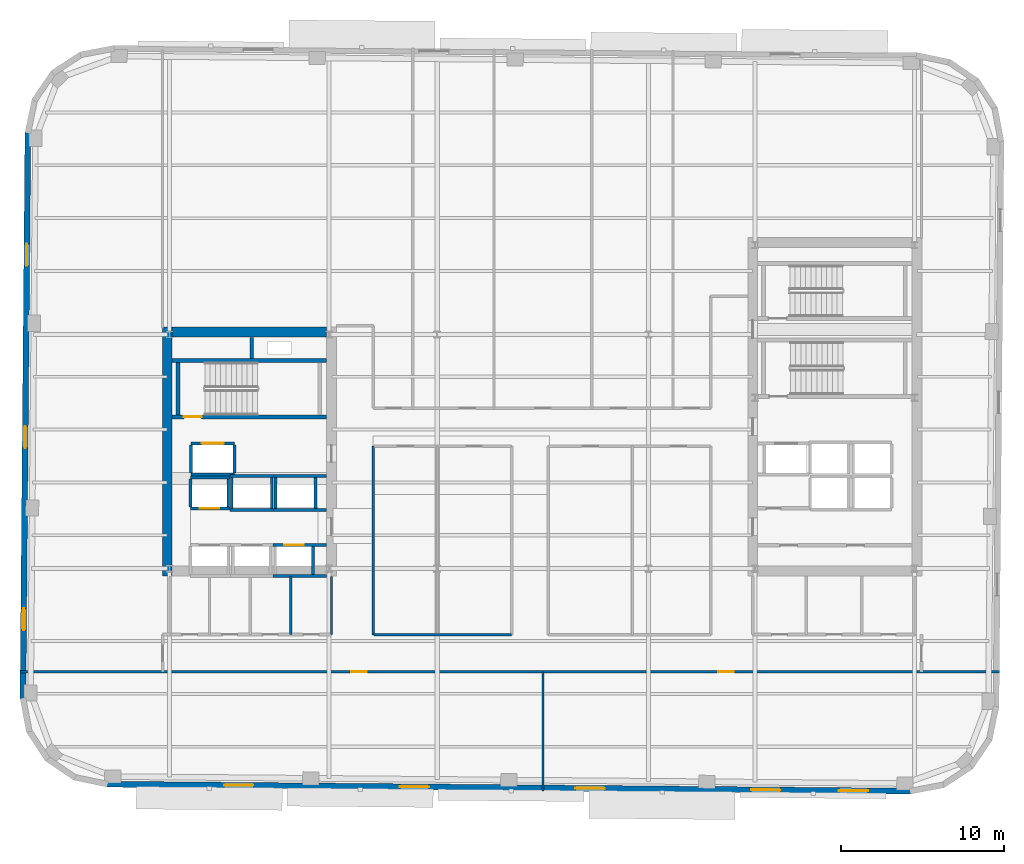
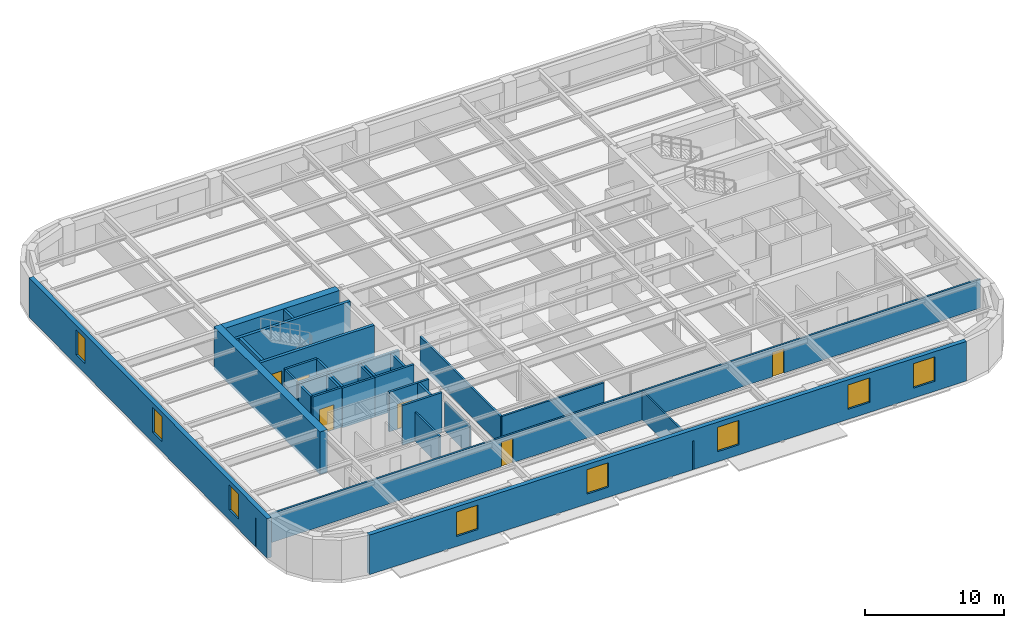
# One storey, part 4 of 11: 33 walls, 8 windows, 6 doors, 14 openings.
"""IFC4 building model written with IfcOpenShell, lengths in metres."""

import ifcopenshell
import ifcopenshell.guid

model = None  # the IFC model being written
_history = None  # IfcOwnerHistory: only IFC2X3 demands one
_inside = {}  # id of a spatial element -> (the spatial element, [elements in it])
_under = {}  # id of a project, library or spatial element -> (it, [spatial elements below it])
_declared = {}  # id of a project -> (the project, [libraries it declares])
_typed = {}  # id of a type object -> (the type object, [elements of that type])
_made_of = {}  # id of a material, layer set ... -> (it, [elements and type objects made of it])


def new_model(schema):
    """Start an empty IFC model of exactly this schema.

    Asked for "IFC4X3", IfcOpenShell would pick the latest addendum, in which some entities
    have other attributes; the version numbers below select the first issue.
    IFC2X3 requires an IfcOwnerHistory on every rooted entity: one is made here for all.
    """
    global model, _history
    if schema == "IFC4X3":
        model = ifcopenshell.file(schema_version=(4, 3, 0, 0))
    else:
        model = ifcopenshell.file(schema=schema)
    _inside.clear()
    _under.clear()
    _declared.clear()
    _typed.clear()
    _made_of.clear()
    _history = None
    if model.schema == "IFC2X3":
        org = make("IfcOrganization", Name="unknown")
        user = make(
            "IfcPersonAndOrganization",
            ThePerson=make("IfcPerson", FamilyName="unknown"),
            TheOrganization=org,
        )
        app = make(
            "IfcApplication",
            ApplicationDeveloper=org,
            Version="unknown",
            ApplicationFullName="unknown",
            ApplicationIdentifier="unknown",
        )
        _history = make(
            "IfcOwnerHistory",
            OwningUser=user,
            OwningApplication=app,
            ChangeAction="ADDED",
            CreationDate=0,
        )
    return model


def make(cls, **values):
    """One entity of the class cls with the attributes given. An attribute that is None is left unset."""
    return model.create_entity(
        cls, **{name: value for name, value in values.items() if value is not None}
    )


def rooted(cls, **values):
    """An entity with a GlobalId (a new one), such as an element, a storey or a relation."""
    return make(cls, GlobalId=ifcopenshell.guid.new(), OwnerHistory=_history, **values)


def si_unit(unit_type, name, prefix=None):
    """IfcSIUnit, for example si_unit("LENGTHUNIT", "METRE", prefix="MILLI")."""
    return make("IfcSIUnit", UnitType=unit_type, Prefix=prefix, Name=name)


def assignment(units):
    """IfcUnitAssignment: the units of a project."""
    return None if units is None else make("IfcUnitAssignment", Units=units)


def point(xyz):
    """IfcCartesianPoint."""
    return None if xyz is None else make("IfcCartesianPoint", Coordinates=xyz)


def direction(xyz):
    """IfcDirection."""
    return None if xyz is None else make("IfcDirection", DirectionRatios=xyz)


def frame(location, z_axis=None, x_axis=None):
    """IfcAxis2Placement3D, a coordinate frame: its origin and axes. An axis left out is left unset."""
    return make(
        "IfcAxis2Placement3D",
        Location=point(location),
        Axis=direction(z_axis),
        RefDirection=direction(x_axis),
    )


def frame_2d(location, x_axis=None):
    """IfcAxis2Placement2D, a coordinate frame in the plane: its origin and x axis."""
    return make(
        "IfcAxis2Placement2D", Location=point(location), RefDirection=direction(x_axis)
    )


def origin():
    """The frame at (0, 0, 0) with its axes left unset."""
    return frame((0.0, 0.0, 0.0))


def place(relative_to, where):
    """IfcLocalPlacement: puts the frame where relative to a parent placement (None: the world)."""
    return make(
        "IfcLocalPlacement", PlacementRelTo=relative_to, RelativePlacement=where
    )


def context(
    kind, dimensions, precision=None, world=None, true_north=None, identifier=None
):
    """IfcGeometricRepresentationContext, for example the 3D "Model" context."""
    return make(
        "IfcGeometricRepresentationContext",
        ContextIdentifier=identifier,
        ContextType=kind,
        CoordinateSpaceDimension=dimensions,
        Precision=precision,
        WorldCoordinateSystem=world,
        TrueNorth=true_north,
    )


def subcontext(parent, identifier, kind, view, scale=None):
    """IfcGeometricRepresentationSubContext, for example "Body" below "Model"."""
    return make(
        "IfcGeometricRepresentationSubContext",
        ContextIdentifier=identifier,
        ContextType=kind,
        ParentContext=parent,
        TargetScale=scale,
        TargetView=view,
    )


def project(units=None, contexts=None):
    """IfcProject with its units and contexts."""
    return rooted(
        "IfcProject",
        Name="project",
        RepresentationContexts=contexts,
        UnitsInContext=assignment(units),
    )


def spatial(cls, under=None, at=None, **own):
    """A site, building, storey or space (cls), placed at a placement, below another one or the project."""
    s = rooted(cls, ObjectPlacement=at, **own)
    if under is not None:
        _under.setdefault(under.id(), (under, []))[1].append(s)
    return s


def profile(cls, at=None, kind="AREA", **sizes):
    """A parametric profile (cls). Its sizes go by their IFC names, for example OverallWidth=200.0."""
    return make(cls, ProfileType=kind, Position=at, **sizes)


def rectangle(**sizes):
    """IfcRectangleProfileDef."""
    return profile("IfcRectangleProfileDef", **sizes)


def extrude(swept, where, along, depth):
    """IfcExtrudedAreaSolid: the profile swept, set in the frame where, extruded along a direction by depth."""
    return make(
        "IfcExtrudedAreaSolid",
        SweptArea=swept,
        Position=where,
        ExtrudedDirection=direction(along),
        Depth=depth,
    )


def shape(context_of_items, identifier, shape_type, items):
    """IfcShapeRepresentation: the items that make up one representation, for example the "Body"."""
    return make(
        "IfcShapeRepresentation",
        ContextOfItems=context_of_items,
        RepresentationIdentifier=identifier,
        RepresentationType=shape_type,
        Items=items,
    )


def material(Name=None, Category=None):
    """IfcMaterial."""
    return make("IfcMaterial", Name=Name, Category=Category)


def layer(
    of_material, thickness, ventilated=None, Name=None, Category=None, Priority=None
):
    """IfcMaterialLayer: one layer of a wall or slab, of a material (None: an air gap)."""
    return make(
        "IfcMaterialLayer",
        Material=of_material,
        LayerThickness=thickness,
        IsVentilated=ventilated,
        Name=Name,
        Category=Category,
        Priority=Priority,
    )


def layer_set(layers, Name=None):
    """IfcMaterialLayerSet."""
    return make("IfcMaterialLayerSet", MaterialLayers=layers, LayerSetName=Name)


def made_of(thing, what):
    """Note that an element or type object is made of a material, layer set ...; save() writes the relation."""
    if what is not None:
        _made_of.setdefault(what.id(), (what, []))[1].append(thing)
    return thing


def type_object(cls, material=None, **own):
    """A type object (cls), such as IfcWallType, which elements share."""
    return made_of(rooted(cls, **own), material)


def element(
    cls,
    number,
    at=None,
    inside=None,
    cuts=None,
    type_object=None,
    material=None,
    context=None,
    identifier="Body",
    shape_type=None,
    held_by="IfcProductDefinitionShape",
    body=None,
    shapes=None,
    **own,
):
    """One element of the class cls, such as IfcWall. Its Tag is "e" and its number.

    at: its placement. inside: the storey or other place that contains it. cuts: it is an
    opening in that element (IfcRelVoidsElement). A single representation is given by context,
    identifier, shape_type and body (its items); several are given by shapes. held_by: the class
    of the entity that holds the representations. save() writes the other relations.
    """
    e = rooted(cls, Tag="e%d" % number, ObjectPlacement=at, **own)
    if body is not None:
        shapes = [shape(context, identifier, shape_type, body)]
    if shapes is not None:
        e.Representation = make(held_by, Representations=shapes)
    if inside is not None:
        _inside.setdefault(inside.id(), (inside, []))[1].append(e)
    if cuts is not None:
        rooted(
            "IfcRelVoidsElement", RelatingBuildingElement=cuts, RelatedOpeningElement=e
        )
    if type_object is not None:
        _typed.setdefault(type_object.id(), (type_object, []))[1].append(e)
    return made_of(e, material)


def fill(opening, filler):
    """IfcRelFillsElement: the door or window that sits in an opening."""
    return rooted(
        "IfcRelFillsElement",
        RelatingOpeningElement=opening,
        RelatedBuildingElement=filler,
    )


def aggregate(whole, parts):
    """IfcRelAggregates: a whole, such as a stair, and the parts it consists of."""
    return rooted("IfcRelAggregates", RelatingObject=whole, RelatedObjects=parts)


def save(model, path):
    """Write the relations noted so far, then the file.

    IfcRelAggregates (storeys below a building ...), IfcRelContainedInSpatialStructure (elements
    in a storey), IfcRelDefinesByType, IfcRelAssociatesMaterial and IfcRelDeclares: one each for
    every whole, place, type object, material and project.
    """
    for whole, parts in _under.values():
        aggregate(whole, parts)
    for where, things in _inside.values():
        rooted(
            "IfcRelContainedInSpatialStructure",
            RelatedElements=things,
            RelatingStructure=where,
        )
    for kind, things in _typed.values():
        rooted("IfcRelDefinesByType", RelatedObjects=things, RelatingType=kind)
    for what, things in _made_of.values():
        rooted("IfcRelAssociatesMaterial", RelatedObjects=things, RelatingMaterial=what)
    for by, libraries in _declared.values():
        rooted("IfcRelDeclares", RelatingContext=by, RelatedDefinitions=libraries)
    model.write(path)


model = new_model("IFC4")

# Units and contexts
model_context = context("Model", 3, precision=1e-05, world=origin(), true_north=direction((0.0, 1.0)))
body_context = subcontext(model_context, "Body", "Model", "MODEL_VIEW")
ifc_project = project(units=[si_unit("LENGTHUNIT", "METRE"), si_unit("AREAUNIT", "SQUARE_METRE"), si_unit("VOLUMEUNIT", "CUBIC_METRE"), si_unit("PLANEANGLEUNIT", "RADIAN"), si_unit("MASSUNIT", "GRAM", prefix="KILO")], contexts=[model_context])

# Site, building, storey
site_placement = place(None, origin())
site = spatial("IfcSite", under=ifc_project, at=site_placement, CompositionType="ELEMENT")
building_placement = place(site_placement, origin())
building = spatial("IfcBuilding", under=site, at=building_placement, Name="Kolvaren Arena Tower", CompositionType="ELEMENT")
storey_placement = place(building_placement, frame((0.0, 0.0, 180.949951171875)))
storey = spatial("IfcBuildingStorey", under=building, at=storey_placement, Name="L43", CompositionType="ELEMENT", Elevation=180.949951171875)

# Wall, openings, doors
ifc_material_1 = material(Name="Gypsum board acoustic assembly", Category="gypsum")
ifc_layer_1 = layer(ifc_material_1, 0.159912109375)
ifc_layer_set_1 = layer_set([ifc_layer_1], Name="Gypsum board acoustic assembly")
wall_type_1 = type_object("IfcWallType", Name="CORR-160", PredefinedType="PARTITIONING", material=ifc_layer_set_1)
wall_1_placement = place(storey_placement, frame((5.363525390625, 13.10009765625, 0.0), z_axis=(0.0, 0.0, 1.0), x_axis=(1.0, 0.0, 0.0)))
wall_1 = element("IfcWall", 1, at=wall_1_placement, inside=storey, type_object=wall_type_1, Name="Interior Partition Wall (L43)", PredefinedType="PARTITIONING", context=body_context, shape_type="SweptSolid", body=[
    extrude(rectangle(XDim=60.202392578125, YDim=0.159912109375, at=frame_2d((30.10107421875, 0.0))), origin(), (0.0, 0.0, 1.0), 2.5400390625),
])
opening_1_placement = place(wall_1_placement, frame((20.361328125, 0.0, 0.0)))
opening_1 = element("IfcOpeningElement", 2, at=opening_1_placement, cuts=wall_1, Name="Opening D05", PredefinedType="OPENING", context=body_context, shape_type="SweptSolid", body=[
    extrude(rectangle(XDim=0.949951171875, YDim=2.14990234375, at=frame_2d((0.47509765625, 1.074951171875))), frame((0.0, 0.08984375, 0.0), z_axis=(0.0, -1.0, 0.0), x_axis=(1.0, 0.0, 0.0)), (0.0, 0.0, 1.0), 0.179931640625),
])
opening_2_placement = place(wall_1_placement, frame((42.911376953125, 0.0, 0.0)))
opening_2 = element("IfcOpeningElement", 3, at=opening_2_placement, cuts=wall_1, Name="Opening D05", PredefinedType="OPENING", context=body_context, shape_type="SweptSolid", body=[
    extrude(rectangle(XDim=0.949951171875, YDim=2.14990234375, at=frame_2d((0.47509765625, 1.074951171875))), frame((0.0, 0.08984375, 0.0), z_axis=(0.0, -1.0, 0.0), x_axis=(1.0, 0.0, 0.0)), (0.0, 0.0, 1.0), 0.179931640625),
])
ifc_material_2 = material(Name="Solid-core oak acoustic office door", Category="wood")
door_type_1 = type_object("IfcDoorType", Name="DOOR-OF-095", OperationType="NOTDEFINED", PredefinedType="DOOR", material=ifc_material_2)
door_1_placement = place(opening_1_placement, origin())
door_1 = element("IfcDoor", 4, at=door_1_placement, inside=storey, type_object=door_type_1, Name="Design Studio Door (L43)", OperationType="SINGLE_SWING_LEFT", OverallHeight=2.14990234375, OverallWidth=0.949951171875, PredefinedType="DOOR", context=body_context, shape_type="SweptSolid", body=[
    extrude(rectangle(XDim=0.949951171875, YDim=2.14990234375, at=frame_2d((0.47509765625, 1.074951171875))), frame((0.0, 0.02490234375, 0.0), z_axis=(0.0, -1.0, 0.0), x_axis=(1.0, 0.0, 0.0)), (0.0, 0.0, 1.0), 0.050048828125),
])
fill(opening_1, door_1)
door_2_placement = place(opening_2_placement, origin())
door_2 = element("IfcDoor", 5, at=door_2_placement, inside=storey, type_object=door_type_1, Name="Technical Engineering Office Door (L43)", OperationType="SINGLE_SWING_RIGHT", OverallHeight=2.14990234375, OverallWidth=0.949951171875, PredefinedType="DOOR", context=body_context, shape_type="SweptSolid", body=[
    extrude(rectangle(XDim=0.949951171875, YDim=2.14990234375, at=frame_2d((0.47509765625, 1.074951171875))), frame((0.0, 0.02490234375, 0.0), z_axis=(0.0, -1.0, 0.0), x_axis=(1.0, 0.0, 0.0)), (0.0, 0.0, 1.0), 0.050048828125),
])
fill(opening_2, door_2)

# Walls
wall_2_placement = place(storey_placement, frame((27.10009765625, 15.3798828125, 0.0), z_axis=(0.0, 0.0, 1.0), x_axis=(1.0, 0.0, 0.0)))
element("IfcWall", 6, at=wall_2_placement, inside=storey, type_object=wall_type_1, Name="Interior Partition Wall (L43)", PredefinedType="PARTITIONING", context=body_context, shape_type="SweptSolid", body=[
    extrude(rectangle(XDim=8.4599609375, YDim=0.159912109375, at=frame_2d((4.22998046875, 0.0))), origin(), (0.0, 0.0, 1.0), 2.5400390625),
])
wall_3_placement = place(storey_placement, frame((27.080078125, 15.3798828125, 0.0), z_axis=(0.0, 0.0, 1.0), x_axis=(0.0, 1.0, 0.0)))
element("IfcWall", 7, at=wall_3_placement, inside=storey, type_object=wall_type_1, Name="Interior Partition Wall (L43)", PredefinedType="PARTITIONING", context=body_context, shape_type="SweptSolid", body=[
    extrude(rectangle(XDim=11.60009765625, YDim=0.159912109375, at=frame_2d((5.800048828125, 0.0))), origin(), (0.0, 0.0, 1.0), 2.5400390625),
])
ifc_material_3 = material(Name="Concrete 60 MPa", Category="concrete")
ifc_layer_2 = layer(ifc_material_3, 0.60009765625)
ifc_layer_set_2 = layer_set([ifc_layer_2], Name="Concrete 60 MPa")
wall_type_2 = type_object("IfcWallType", Name="CWALL-600", PredefinedType="SHEAR", material=ifc_layer_set_2)
wall_4_placement = place(storey_placement, frame((14.39990234375, 19.0, -0.27001953125), z_axis=(0.0, 0.0, 1.0), x_axis=(0.0, 1.0, 0.0)))
element("IfcWall", 8, at=wall_4_placement, inside=storey, type_object=wall_type_2, Name="Core Shear Wall WC-WEST (L43)", PredefinedType="SHEAR", context=body_context, shape_type="SweptSolid", body=[
    extrude(rectangle(XDim=15.300048828125, YDim=0.60009765625, at=frame_2d((7.64990234375, 0.0))), origin(), (0.0, 0.0, 1.0), 3.75),
])
wall_5_placement = place(storey_placement, frame((14.699951171875, 34.0, -0.27001953125), z_axis=(0.0, 0.0, 1.0), x_axis=(1.0, 0.0, 0.0)))
element("IfcWall", 9, at=wall_5_placement, inside=storey, type_object=wall_type_2, Name="Core Shear Wall WC-NORTH (L43)", PredefinedType="SHEAR", context=body_context, shape_type="SweptSolid", body=[
    extrude(rectangle(XDim=9.5, YDim=0.60009765625, at=frame_2d((4.75, 0.0))), origin(), (0.0, 0.0, 1.0), 3.75),
])

# Wall, openings, windows
ifc_material_4 = material(Name="Precast concrete C50/60", Category="concrete")
ifc_layer_3 = layer(ifc_material_4, 0.360107421875)
ifc_layer_set_3 = layer_set([ifc_layer_3], Name="Precast concrete C50/60")
wall_type_3 = type_object("IfcWallType", Name="EXT-PIER2", PredefinedType="SOLIDWALL", material=ifc_layer_set_3)
wall_6_placement = place(storey_placement, frame((5.529296875, 11.461669921875, 0.0), z_axis=(0.0, 0.0, 1.0), x_axis=(0.008727287311, 0.999961916503, 0.0)))
wall_6 = element("IfcWall", 10, at=wall_6_placement, inside=storey, type_object=wall_type_3, Name="Exterior Precast Masonry-Frame Wall (L43)", PredefinedType="SOLIDWALL", context=body_context, shape_type="SweptSolid", body=[
    extrude(rectangle(XDim=34.800048828125, YDim=0.360107421875, at=frame_2d((17.39990234375, 0.0))), origin(), (0.0, 0.0, 1.0), 3.47998046875),
])
opening_3_placement = place(wall_6_placement, frame((4.199951171875, 0.0, 0.8798828125)))
opening_3 = element("IfcOpeningElement", 11, at=opening_3_placement, cuts=wall_6, Name="Opening W04", PredefinedType="OPENING", context=body_context, shape_type="SweptSolid", body=[
    extrude(rectangle(XDim=1.35009765625, YDim=2.199951171875, at=frame_2d((0.675048828125, 1.10009765625))), frame((0.0, 0.18994140625, 0.0), z_axis=(0.0, -1.0, 0.0), x_axis=(1.0, 0.0, 0.0)), (0.0, 0.0, 1.0), 0.380126953125),
])
opening_4_placement = place(wall_6_placement, frame((15.39990234375, 0.0, 0.8798828125)))
opening_4 = element("IfcOpeningElement", 12, at=opening_4_placement, cuts=wall_6, Name="Opening W04", PredefinedType="OPENING", context=body_context, shape_type="SweptSolid", body=[
    extrude(rectangle(XDim=1.35009765625, YDim=2.199951171875, at=frame_2d((0.675048828125, 1.10009765625))), frame((0.0, 0.18994140625, 0.0), z_axis=(0.0, -1.0, 0.0), x_axis=(1.0, 0.0, 0.0)), (0.0, 0.0, 1.0), 0.380126953125),
])
opening_5_placement = place(wall_6_placement, frame((26.60009765625, 0.0, 0.8798828125)))
opening_5 = element("IfcOpeningElement", 13, at=opening_5_placement, cuts=wall_6, Name="Opening W04", PredefinedType="OPENING", context=body_context, shape_type="SweptSolid", body=[
    extrude(rectangle(XDim=1.35009765625, YDim=2.199951171875, at=frame_2d((0.675048828125, 1.10009765625))), frame((0.0, 0.18994140625, 0.0), z_axis=(0.0, -1.0, 0.0), x_axis=(1.0, 0.0, 0.0)), (0.0, 0.0, 1.0), 0.380126953125),
])
ifc_material_5 = material(Name="Triple-glazed curved-facet corner window", Category="glass")
window_type_1 = type_object("IfcWindowType", Name="WIN-CRN-A", PartitioningType="SINGLE_PANEL", PredefinedType="WINDOW", material=ifc_material_5)
window_1_placement = place(opening_3_placement, origin())
window_1 = element("IfcWindow", 14, at=window_1_placement, inside=storey, type_object=window_type_1, Name="End-Wall Punched Window (L43)", OverallHeight=2.199951171875, OverallWidth=1.35009765625, PartitioningType="SINGLE_PANEL", PredefinedType="WINDOW", context=body_context, shape_type="SweptSolid", body=[
    extrude(rectangle(XDim=1.35009765625, YDim=2.199951171875, at=frame_2d((0.675048828125, 1.10009765625))), frame((0.0, 0.030029296875, 0.0), z_axis=(0.0, -1.0, 0.0), x_axis=(1.0, 0.0, 0.0)), (0.0, 0.0, 1.0), 0.06005859375),
])
fill(opening_3, window_1)
window_2_placement = place(opening_4_placement, origin())
window_2 = element("IfcWindow", 15, at=window_2_placement, inside=storey, type_object=window_type_1, Name="End-Wall Punched Window (L43)", OverallHeight=2.199951171875, OverallWidth=1.35009765625, PartitioningType="SINGLE_PANEL", PredefinedType="WINDOW", context=body_context, shape_type="SweptSolid", body=[
    extrude(rectangle(XDim=1.35009765625, YDim=2.199951171875, at=frame_2d((0.675048828125, 1.10009765625))), frame((0.0, 0.030029296875, 0.0), z_axis=(0.0, -1.0, 0.0), x_axis=(1.0, 0.0, 0.0)), (0.0, 0.0, 1.0), 0.06005859375),
])
fill(opening_4, window_2)
window_3_placement = place(opening_5_placement, origin())
window_3 = element("IfcWindow", 16, at=window_3_placement, inside=storey, type_object=window_type_1, Name="End-Wall Punched Window (L43)", OverallHeight=2.199951171875, OverallWidth=1.35009765625, PartitioningType="SINGLE_PANEL", PredefinedType="WINDOW", context=body_context, shape_type="SweptSolid", body=[
    extrude(rectangle(XDim=1.35009765625, YDim=2.199951171875, at=frame_2d((0.675048828125, 1.10009765625))), frame((0.0, 0.030029296875, 0.0), z_axis=(0.0, -1.0, 0.0), x_axis=(1.0, 0.0, 0.0)), (0.0, 0.0, 1.0), 0.06005859375),
])
fill(opening_5, window_3)

wall_7_placement = place(storey_placement, frame((60.101806640625, 5.765380859375, 0.0), z_axis=(0.0, 0.0, 1.0), x_axis=(-0.999961955436, 0.008722825272, 0.0)))
wall_7 = element("IfcWall", 17, at=wall_7_placement, inside=storey, type_object=wall_type_3, Name="Exterior Precast Masonry-Frame Wall (L43)", PredefinedType="SOLIDWALL", context=body_context, shape_type="SweptSolid", body=[
    extrude(rectangle(XDim=49.400146484375, YDim=0.360107421875, at=frame_2d((24.7001953125, 0.0))), origin(), (0.0, 0.0, 1.0), 3.47998046875),
])
opening_6_placement = place(wall_7_placement, frame((2.60009765625, 0.0, 0.8798828125)))
opening_6 = element("IfcOpeningElement", 18, at=opening_6_placement, cuts=wall_7, Name="Opening W02", PredefinedType="OPENING", context=body_context, shape_type="SweptSolid", body=[
    extrude(rectangle(XDim=1.800048828125, YDim=2.14990234375, at=frame_2d((0.89990234375, 1.074951171875))), frame((0.0, 0.18994140625, 0.0), z_axis=(0.0, -1.0, 0.0), x_axis=(1.0, 0.0, 0.0)), (0.0, 0.0, 1.0), 0.380126953125),
])
opening_7_placement = place(wall_7_placement, frame((8.0, 0.0, 0.8798828125)))
opening_7 = element("IfcOpeningElement", 19, at=opening_7_placement, cuts=wall_7, Name="Opening W02", PredefinedType="OPENING", context=body_context, shape_type="SweptSolid", body=[
    extrude(rectangle(XDim=1.800048828125, YDim=2.14990234375, at=frame_2d((0.89990234375, 1.074951171875))), frame((0.0, 0.18994140625, 0.0), z_axis=(0.0, -1.0, 0.0), x_axis=(1.0, 0.0, 0.0)), (0.0, 0.0, 1.0), 0.380126953125),
])
opening_8_placement = place(wall_7_placement, frame((18.800048828125, 0.0, 0.8798828125)))
opening_8 = element("IfcOpeningElement", 20, at=opening_8_placement, cuts=wall_7, Name="Opening W02", PredefinedType="OPENING", context=body_context, shape_type="SweptSolid", body=[
    extrude(rectangle(XDim=1.800048828125, YDim=2.14990234375, at=frame_2d((0.89990234375, 1.074951171875))), frame((0.0, 0.18994140625, 0.0), z_axis=(0.0, -1.0, 0.0), x_axis=(1.0, 0.0, 0.0)), (0.0, 0.0, 1.0), 0.380126953125),
])
opening_9_placement = place(wall_7_placement, frame((29.60009765625, 0.0, 0.8798828125)))
opening_9 = element("IfcOpeningElement", 21, at=opening_9_placement, cuts=wall_7, Name="Opening W02", PredefinedType="OPENING", context=body_context, shape_type="SweptSolid", body=[
    extrude(rectangle(XDim=1.800048828125, YDim=2.14990234375, at=frame_2d((0.89990234375, 1.074951171875))), frame((0.0, 0.18994140625, 0.0), z_axis=(0.0, -1.0, 0.0), x_axis=(1.0, 0.0, 0.0)), (0.0, 0.0, 1.0), 0.380126953125),
])
opening_10_placement = place(wall_7_placement, frame((40.39990234375, 0.0, 0.8798828125)))
opening_10 = element("IfcOpeningElement", 22, at=opening_10_placement, cuts=wall_7, Name="Opening W02", PredefinedType="OPENING", context=body_context, shape_type="SweptSolid", body=[
    extrude(rectangle(XDim=1.800048828125, YDim=2.14990234375, at=frame_2d((0.89990234375, 1.074951171875))), frame((0.0, 0.18994140625, 0.0), z_axis=(0.0, -1.0, 0.0), x_axis=(1.0, 0.0, 0.0)), (0.0, 0.0, 1.0), 0.380126953125),
])
ifc_material_6 = material(Name="Triple-glazed low-E aluminium window", Category="aluminium")
window_type_2 = type_object("IfcWindowType", Name="WIN-OFF-B", PartitioningType="DOUBLE_PANEL_VERTICAL", PredefinedType="WINDOW", material=ifc_material_6)
window_4_placement = place(opening_6_placement, origin())
window_4 = element("IfcWindow", 23, at=window_4_placement, inside=storey, type_object=window_type_2, Name="Punched Precast-Pier Window (L43)", OverallHeight=2.14990234375, OverallWidth=1.800048828125, PartitioningType="DOUBLE_PANEL_VERTICAL", PredefinedType="WINDOW", context=body_context, shape_type="SweptSolid", body=[
    extrude(rectangle(XDim=1.800048828125, YDim=2.14990234375, at=frame_2d((0.89990234375, 1.074951171875))), frame((0.0, 0.030029296875, 0.0), z_axis=(0.0, -1.0, 0.0), x_axis=(1.0, 0.0, 0.0)), (0.0, 0.0, 1.0), 0.06005859375),
])
fill(opening_6, window_4)
window_5_placement = place(opening_7_placement, origin())
window_5 = element("IfcWindow", 24, at=window_5_placement, inside=storey, type_object=window_type_2, Name="Punched Precast-Pier Window (L43)", OverallHeight=2.14990234375, OverallWidth=1.800048828125, PartitioningType="DOUBLE_PANEL_VERTICAL", PredefinedType="WINDOW", context=body_context, shape_type="SweptSolid", body=[
    extrude(rectangle(XDim=1.800048828125, YDim=2.14990234375, at=frame_2d((0.89990234375, 1.074951171875))), frame((0.0, 0.030029296875, 0.0), z_axis=(0.0, -1.0, 0.0), x_axis=(1.0, 0.0, 0.0)), (0.0, 0.0, 1.0), 0.06005859375),
])
fill(opening_7, window_5)
window_6_placement = place(opening_8_placement, origin())
window_6 = element("IfcWindow", 25, at=window_6_placement, inside=storey, type_object=window_type_2, Name="Punched Precast-Pier Window (L43)", OverallHeight=2.14990234375, OverallWidth=1.800048828125, PartitioningType="DOUBLE_PANEL_VERTICAL", PredefinedType="WINDOW", context=body_context, shape_type="SweptSolid", body=[
    extrude(rectangle(XDim=1.800048828125, YDim=2.14990234375, at=frame_2d((0.89990234375, 1.074951171875))), frame((0.0, 0.030029296875, 0.0), z_axis=(0.0, -1.0, 0.0), x_axis=(1.0, 0.0, 0.0)), (0.0, 0.0, 1.0), 0.06005859375),
])
fill(opening_8, window_6)
window_7_placement = place(opening_9_placement, origin())
window_7 = element("IfcWindow", 26, at=window_7_placement, inside=storey, type_object=window_type_2, Name="Punched Precast-Pier Window (L43)", OverallHeight=2.14990234375, OverallWidth=1.800048828125, PartitioningType="DOUBLE_PANEL_VERTICAL", PredefinedType="WINDOW", context=body_context, shape_type="SweptSolid", body=[
    extrude(rectangle(XDim=1.800048828125, YDim=2.14990234375, at=frame_2d((0.89990234375, 1.074951171875))), frame((0.0, 0.030029296875, 0.0), z_axis=(0.0, -1.0, 0.0), x_axis=(1.0, 0.0, 0.0)), (0.0, 0.0, 1.0), 0.06005859375),
])
fill(opening_9, window_7)
window_8_placement = place(opening_10_placement, origin())
window_8 = element("IfcWindow", 27, at=window_8_placement, inside=storey, type_object=window_type_2, Name="Punched Precast-Pier Window (L43)", OverallHeight=2.14990234375, OverallWidth=1.800048828125, PartitioningType="DOUBLE_PANEL_VERTICAL", PredefinedType="WINDOW", context=body_context, shape_type="SweptSolid", body=[
    extrude(rectangle(XDim=1.800048828125, YDim=2.14990234375, at=frame_2d((0.89990234375, 1.074951171875))), frame((0.0, 0.030029296875, 0.0), z_axis=(0.0, -1.0, 0.0), x_axis=(1.0, 0.0, 0.0)), (0.0, 0.0, 1.0), 0.06005859375),
])
fill(opening_10, window_8)

# Wall
ifc_material_7 = material(Name="Gypsum board partition assembly", Category="gypsum")
ifc_layer_4 = layer(ifc_material_7, 0.135009765625)
ifc_layer_set_4 = layer_set([ifc_layer_4], Name="Gypsum board partition assembly")
wall_type_4 = type_object("IfcWallType", Name="PART-135", PredefinedType="PARTITIONING", material=ifc_layer_set_4)
wall_8_placement = place(storey_placement, frame((37.5, 5.782470703125, 0.0), z_axis=(0.0, 0.0, 1.0), x_axis=(0.0, 1.0, 0.0)))
element("IfcWall", 28, at=wall_8_placement, inside=storey, type_object=wall_type_4, Name="Interior Partition Wall (L43)", PredefinedType="PARTITIONING", context=body_context, shape_type="SweptSolid", body=[
    extrude(rectangle(XDim=7.317626953125, YDim=0.135009765625, at=frame_2d((3.65869140625, 0.0))), origin(), (0.0, 0.0, 1.0), 2.5400390625),
])

# Wall, opening, door
ifc_material_8 = material(Name="Concrete 45 MPa", Category="concrete")
ifc_layer_5 = layer(ifc_material_8, 0.25)
ifc_layer_set_5 = layer_set([ifc_layer_5], Name="Concrete 45 MPa")
wall_type_5 = type_object("IfcWallType", Name="SHAFT-250", PredefinedType="SOLIDWALL", material=ifc_layer_set_5)
wall_9_placement = place(storey_placement, frame((24.199951171875, 28.780029296875, 0.0), z_axis=(0.0, 0.0, 1.0), x_axis=(-1.0, 0.0, 0.0)))
wall_9 = element("IfcWall", 29, at=wall_9_placement, inside=storey, type_object=wall_type_5, Name="Core Shaft Wall (L43)", PredefinedType="SOLIDWALL", context=body_context, shape_type="SweptSolid", body=[
    extrude(rectangle(XDim=9.5, YDim=0.239990234375, at=frame_2d((4.75, 0.0))), origin(), (0.0, 0.0, 1.0), 3.47998046875),
])
opening_11_placement = place(wall_9_placement, frame((7.679931640625, 0.0, 0.0)))
opening_11 = element("IfcOpeningElement", 30, at=opening_11_placement, cuts=wall_9, Name="Opening D03", PredefinedType="OPENING", context=body_context, shape_type="SweptSolid", body=[
    extrude(rectangle(XDim=1.10009765625, YDim=2.14990234375, at=frame_2d((0.550048828125, 1.074951171875))), frame((0.0, 0.1298828125, 0.0), z_axis=(0.0, -1.0, 0.0), x_axis=(1.0, 0.0, 0.0)), (0.0, 0.0, 1.0), 0.260009765625),
])
ifc_material_9 = material(Name="Fire-rated steel exit stair door", Category="steel")
door_type_2 = type_object("IfcDoorType", Name="DOOR-ST-110", OperationType="NOTDEFINED", PredefinedType="DOOR", material=ifc_material_9)
door_3_placement = place(opening_11_placement, origin())
door_3 = element("IfcDoor", 31, at=door_3_placement, inside=storey, type_object=door_type_2, Name="Stair ST-W1 Fire Door (L43)", OperationType="SINGLE_SWING_RIGHT", OverallHeight=2.14990234375, OverallWidth=1.10009765625, PredefinedType="DOOR", context=body_context, shape_type="SweptSolid", body=[
    extrude(rectangle(XDim=1.10009765625, YDim=2.14990234375, at=frame_2d((0.550048828125, 1.074951171875))), frame((0.0, 0.02490234375, 0.0), z_axis=(0.0, -1.0, 0.0), x_axis=(1.0, 0.0, 0.0)), (0.0, 0.0, 1.0), 0.050048828125),
])
fill(opening_11, door_3)

# Walls
wall_10_placement = place(storey_placement, frame((14.699951171875, 32.25, 0.0), z_axis=(0.0, 0.0, 1.0), x_axis=(1.0, 0.0, 0.0)))
element("IfcWall", 32, at=wall_10_placement, inside=storey, type_object=wall_type_5, Name="Core Shaft Wall (L43)", PredefinedType="SOLIDWALL", context=body_context, shape_type="SweptSolid", body=[
    extrude(rectangle(XDim=9.5, YDim=0.239990234375, at=frame_2d((4.75, 0.0))), origin(), (0.0, 0.0, 1.0), 3.47998046875),
])
wall_11_placement = place(storey_placement, frame((15.06005859375, 28.89990234375, 0.0), z_axis=(0.0, 0.0, 1.0), x_axis=(0.0, 1.0, 0.0)))
element("IfcWall", 33, at=wall_11_placement, inside=storey, type_object=wall_type_5, Name="Core Shaft Wall (L43)", PredefinedType="SOLIDWALL", context=body_context, shape_type="SweptSolid", body=[
    extrude(rectangle(XDim=3.22998046875, YDim=0.239990234375, at=frame_2d((1.614990234375, 0.0))), origin(), (0.0, 0.0, 1.0), 3.47998046875),
])
wall_12_placement = place(storey_placement, frame((19.60009765625, 32.3701171875, 0.0), z_axis=(0.0, 0.0, 1.0), x_axis=(0.0, 1.0, 0.0)))
element("IfcWall", 34, at=wall_12_placement, inside=storey, type_object=wall_type_5, Name="Core Shaft Wall (L43)", PredefinedType="SOLIDWALL", context=body_context, shape_type="SweptSolid", body=[
    extrude(rectangle(XDim=1.27978515625, YDim=0.199951171875, at=frame_2d((0.639892578125, 0.0))), origin(), (0.0, 0.0, 1.0), 3.47998046875),
])

# Wall, opening, door
wall_13_placement = place(storey_placement, frame((20.89990234375, 20.905029296875, 0.0), z_axis=(0.0, 0.0, 1.0), x_axis=(1.0, 0.0, 0.0)))
wall_13 = element("IfcWall", 35, at=wall_13_placement, inside=storey, type_object=wall_type_5, Name="Core Shaft Wall (L43)", PredefinedType="SOLIDWALL", context=body_context, shape_type="SweptSolid", body=[
    extrude(rectangle(XDim=3.300048828125, YDim=0.179931640625, at=frame_2d((1.64990234375, 0.0))), origin(), (0.0, 0.0, 1.0), 3.47998046875),
])
opening_12_placement = place(wall_13_placement, frame((0.699951171875, 0.0, 0.0)))
opening_12 = element("IfcOpeningElement", 36, at=opening_12_placement, cuts=wall_13, Name="Opening LD1", PredefinedType="OPENING", context=body_context, shape_type="SweptSolid", body=[
    extrude(rectangle(XDim=1.199951171875, YDim=2.199951171875, at=frame_2d((0.60009765625, 1.10009765625))), frame((0.0, 0.099853515625, 0.0), z_axis=(0.0, -1.0, 0.0), x_axis=(1.0, 0.0, 0.0)), (0.0, 0.0, 1.0), 0.199951171875),
])
ifc_material_10 = material(Name="Stainless steel passenger lift landing door", Category="steel")
door_type_3 = type_object("IfcDoorType", Name="DOOR-LD-120", OperationType="DOUBLE_DOOR_SLIDING", PredefinedType="DOOR", material=ifc_material_10)
door_4_placement = place(opening_12_placement, origin())
door_4 = element("IfcDoor", 37, at=door_4_placement, inside=storey, type_object=door_type_3, Name="Lift EL-MR3 Landing Door (L43)", OperationType="DOUBLE_DOOR_SLIDING", OverallHeight=2.199951171875, OverallWidth=1.199951171875, PredefinedType="DOOR", context=body_context, shape_type="SweptSolid", body=[
    extrude(rectangle(XDim=1.199951171875, YDim=2.199951171875, at=frame_2d((0.60009765625, 1.10009765625))), frame((0.0, 0.02490234375, 0.0), z_axis=(0.0, -1.0, 0.0), x_axis=(1.0, 0.0, 0.0)), (0.0, 0.0, 1.0), 0.050048828125),
])
fill(opening_12, door_4)

# Walls
wall_14_placement = place(storey_placement, frame((20.89990234375, 18.9951171875, 0.0), z_axis=(0.0, 0.0, 1.0), x_axis=(1.0, 0.0, 0.0)))
element("IfcWall", 38, at=wall_14_placement, inside=storey, type_object=wall_type_5, Name="Core Shaft Wall (L43)", PredefinedType="SOLIDWALL", context=body_context, shape_type="SweptSolid", body=[
    extrude(rectangle(XDim=3.300048828125, YDim=0.179931640625, at=frame_2d((1.64990234375, 0.0))), origin(), (0.0, 0.0, 1.0), 3.47998046875),
])
wall_15_placement = place(storey_placement, frame((23.35498046875, 19.0849609375, 0.0), z_axis=(0.0, 0.0, 1.0), x_axis=(0.0, 1.0, 0.0)))
element("IfcWall", 39, at=wall_15_placement, inside=storey, type_object=wall_type_5, Name="Core Shaft Wall (L43)", PredefinedType="SOLIDWALL", context=body_context, shape_type="SweptSolid", body=[
    extrude(rectangle(XDim=1.72998046875, YDim=0.179931640625, at=frame_2d((0.864990234375, 0.0))), origin(), (0.0, 0.0, 1.0), 3.47998046875),
])
wall_16_placement = place(storey_placement, frame((15.844970703125, 25.054931640625, 0.0), z_axis=(0.0, 0.0, 1.0), x_axis=(1.0, 0.0, 0.0)))
element("IfcWall", 40, at=wall_16_placement, inside=storey, type_object=wall_type_5, Name="Core Shaft Wall (L43)", PredefinedType="SOLIDWALL", context=body_context, shape_type="SweptSolid", body=[
    extrude(rectangle(XDim=2.41748046875, YDim=0.179931640625, at=frame_2d((1.208740234375, 0.0))), origin(), (0.0, 0.0, 1.0), 3.47998046875),
])

# Wall, opening, door
wall_17_placement = place(storey_placement, frame((15.844970703125, 23.14501953125, 0.0), z_axis=(0.0, 0.0, 1.0), x_axis=(1.0, 0.0, 0.0)))
wall_17 = element("IfcWall", 41, at=wall_17_placement, inside=storey, type_object=wall_type_5, Name="Core Shaft Wall (L43)", PredefinedType="SOLIDWALL", context=body_context, shape_type="SweptSolid", body=[
    extrude(rectangle(XDim=2.41748046875, YDim=0.179931640625, at=frame_2d((1.208740234375, 0.0))), origin(), (0.0, 0.0, 1.0), 3.47998046875),
])
opening_13_placement = place(wall_17_placement, frame((0.554931640625, 0.0, 0.0)))
opening_13 = element("IfcOpeningElement", 42, at=opening_13_placement, cuts=wall_17, Name="Opening LD1", PredefinedType="OPENING", context=body_context, shape_type="SweptSolid", body=[
    extrude(rectangle(XDim=1.199951171875, YDim=2.199951171875, at=frame_2d((0.60009765625, 1.10009765625))), frame((0.0, 0.099853515625, 0.0), z_axis=(0.0, -1.0, 0.0), x_axis=(1.0, 0.0, 0.0)), (0.0, 0.0, 1.0), 0.199951171875),
])
door_5_placement = place(opening_13_placement, origin())
door_5 = element("IfcDoor", 43, at=door_5_placement, inside=storey, type_object=door_type_3, Name="Lift EL-MR4 Landing Door (L43)", OperationType="DOUBLE_DOOR_SLIDING", OverallHeight=2.199951171875, OverallWidth=1.199951171875, PredefinedType="DOOR", context=body_context, shape_type="SweptSolid", body=[
    extrude(rectangle(XDim=1.199951171875, YDim=2.199951171875, at=frame_2d((0.60009765625, 1.10009765625))), frame((0.0, 0.02490234375, 0.0), z_axis=(0.0, -1.0, 0.0), x_axis=(1.0, 0.0, 0.0)), (0.0, 0.0, 1.0), 0.050048828125),
])
fill(opening_13, door_5)

# Walls
for number, where, z_axis, x_axis, name in (
    (44, (15.844970703125, 23.235107421875, 0.0), (0.0, 0.0, 1.0), (0.0, 1.0, 0.0), "Core Shaft Wall (L43)"),
    (45, (18.155029296875, 23.235107421875, 0.0), (0.0, 0.0, 1.0), (0.0, 1.0, 0.0), "Core Shaft Wall (L43)"),
):
    element("IfcWall", number, at=place(storey_placement, frame(where, z_axis=z_axis, x_axis=x_axis)), inside=storey, type_object=wall_type_5, Name=name, PredefinedType="SOLIDWALL", context=body_context, shape_type="SweptSolid", body=[
        extrude(rectangle(XDim=1.72998046875, YDim=0.179931640625, at=frame_2d((0.864990234375, 0.0))), origin(), (0.0, 0.0, 1.0), 3.47998046875),
    ])
for number, where, z_axis, x_axis, name in (
    (46, (18.262451171875, 25.155029296875, 0.0), (0.0, 0.0, 1.0), (1.0, 0.0, 0.0), "Core Shaft Wall (L43)"),
    (47, (18.262451171875, 23.044921875, 0.0), (0.0, 0.0, 1.0), (1.0, 0.0, 0.0), "Core Shaft Wall (L43)"),
):
    element("IfcWall", number, at=place(storey_placement, frame(where, z_axis=z_axis, x_axis=x_axis)), inside=storey, type_object=wall_type_5, Name=name, PredefinedType="SOLIDWALL", context=body_context, shape_type="SweptSolid", body=[
        extrude(rectangle(XDim=2.6875, YDim=0.179931640625, at=frame_2d((1.34375, 0.0))), origin(), (0.0, 0.0, 1.0), 3.47998046875),
    ])
for number, where, z_axis, x_axis, name in (
    (48, (18.3701171875, 23.135009765625, 0.0), (0.0, 0.0, 1.0), (0.0, 1.0, 0.0), "Core Shaft Wall (L43)"),
    (49, (20.830078125, 23.135009765625, 0.0), (0.0, 0.0, 1.0), (0.0, 1.0, 0.0), "Core Shaft Wall (L43)"),
):
    element("IfcWall", number, at=place(storey_placement, frame(where, z_axis=z_axis, x_axis=x_axis)), inside=storey, type_object=wall_type_5, Name=name, PredefinedType="SOLIDWALL", context=body_context, shape_type="SweptSolid", body=[
        extrude(rectangle(XDim=1.929931640625, YDim=0.179931640625, at=frame_2d((0.96484375, 0.0))), origin(), (0.0, 0.0, 1.0), 3.47998046875),
    ])
for number, where, z_axis, x_axis, name in (
    (50, (20.949951171875, 25.155029296875, 0.0), (0.0, 0.0, 1.0), (1.0, 0.0, 0.0), "Core Shaft Wall (L43)"),
    (51, (20.949951171875, 23.044921875, 0.0), (0.0, 0.0, 1.0), (1.0, 0.0, 0.0), "Core Shaft Wall (L43)"),
):
    element("IfcWall", number, at=place(storey_placement, frame(where, z_axis=z_axis, x_axis=x_axis)), inside=storey, type_object=wall_type_5, Name=name, PredefinedType="SOLIDWALL", context=body_context, shape_type="SweptSolid", body=[
        extrude(rectangle(XDim=3.25, YDim=0.179931640625, at=frame_2d((1.625, 0.0))), origin(), (0.0, 0.0, 1.0), 3.47998046875),
    ])
for number, where, z_axis, x_axis, name in (
    (52, (21.070068359375, 23.135009765625, 0.0), (0.0, 0.0, 1.0), (0.0, 1.0, 0.0), "Core Shaft Wall (L43)"),
    (53, (23.530029296875, 23.135009765625, 0.0), (0.0, 0.0, 1.0), (0.0, 1.0, 0.0), "Core Shaft Wall (L43)"),
):
    element("IfcWall", number, at=place(storey_placement, frame(where, z_axis=z_axis, x_axis=x_axis)), inside=storey, type_object=wall_type_5, Name=name, PredefinedType="SOLIDWALL", context=body_context, shape_type="SweptSolid", body=[
        extrude(rectangle(XDim=1.929931640625, YDim=0.179931640625, at=frame_2d((0.96484375, 0.0))), origin(), (0.0, 0.0, 1.0), 3.47998046875),
    ])

# Wall, opening, door
wall_18_placement = place(storey_placement, frame((15.8701171875, 27.155029296875, 0.0), z_axis=(0.0, 0.0, 1.0), x_axis=(1.0, 0.0, 0.0)))
wall_18 = element("IfcWall", 54, at=wall_18_placement, inside=storey, type_object=wall_type_5, Name="Core Shaft Wall (L43)", PredefinedType="SOLIDWALL", context=body_context, shape_type="SweptSolid", body=[
    extrude(rectangle(XDim=2.659912109375, YDim=0.179931640625, at=frame_2d((1.330078125, 0.0))), origin(), (0.0, 0.0, 1.0), 3.47998046875),
])
opening_14_placement = place(wall_18_placement, frame((0.655029296875, 0.0, 0.0)))
opening_14 = element("IfcOpeningElement", 55, at=opening_14_placement, cuts=wall_18, Name="Opening LD2", PredefinedType="OPENING", context=body_context, shape_type="SweptSolid", body=[
    extrude(rectangle(XDim=1.35009765625, YDim=2.300048828125, at=frame_2d((0.675048828125, 1.14990234375))), frame((0.0, 0.099853515625, 0.0), z_axis=(0.0, -1.0, 0.0), x_axis=(1.0, 0.0, 0.0)), (0.0, 0.0, 1.0), 0.199951171875),
])
ifc_material_11 = material(Name="Stainless steel firefighter lift landing door", Category="steel")
door_type_4 = type_object("IfcDoorType", Name="DOOR-LD-135", OperationType="DOUBLE_DOOR_SLIDING", PredefinedType="DOOR", material=ifc_material_11)
door_6_placement = place(opening_14_placement, origin())
door_6 = element("IfcDoor", 56, at=door_6_placement, inside=storey, type_object=door_type_4, Name="Firefighter Lift FF-W1 Landing Door (L43)", OperationType="DOUBLE_DOOR_SLIDING", OverallHeight=2.300048828125, OverallWidth=1.35009765625, PredefinedType="DOOR", context=body_context, shape_type="SweptSolid", body=[
    extrude(rectangle(XDim=1.35009765625, YDim=2.300048828125, at=frame_2d((0.675048828125, 1.14990234375))), frame((0.0, 0.02490234375, 0.0), z_axis=(0.0, -1.0, 0.0), x_axis=(1.0, 0.0, 0.0)), (0.0, 0.0, 1.0), 0.050048828125),
])
fill(opening_14, door_6)

# Walls
wall_19_placement = place(storey_placement, frame((15.8701171875, 25.2451171875, 0.0), z_axis=(0.0, 0.0, 1.0), x_axis=(1.0, 0.0, 0.0)))
element("IfcWall", 57, at=wall_19_placement, inside=storey, type_object=wall_type_5, Name="Core Shaft Wall (L43)", PredefinedType="SOLIDWALL", context=body_context, shape_type="SweptSolid", body=[
    extrude(rectangle(XDim=2.659912109375, YDim=0.179931640625, at=frame_2d((1.330078125, 0.0))), origin(), (0.0, 0.0, 1.0), 3.47998046875),
])
for number, where, z_axis, x_axis, name in (
    (58, (15.8701171875, 25.3349609375, 0.0), (0.0, 0.0, 1.0), (0.0, 1.0, 0.0), "Core Shaft Wall (L43)"),
    (59, (18.530029296875, 25.3349609375, 0.0), (0.0, 0.0, 1.0), (0.0, 1.0, 0.0), "Core Shaft Wall (L43)"),
):
    element("IfcWall", number, at=place(storey_placement, frame(where, z_axis=z_axis, x_axis=x_axis)), inside=storey, type_object=wall_type_5, Name=name, PredefinedType="SOLIDWALL", context=body_context, shape_type="SweptSolid", body=[
        extrude(rectangle(XDim=1.72998046875, YDim=0.179931640625, at=frame_2d((0.864990234375, 0.0))), origin(), (0.0, 0.0, 1.0), 3.47998046875),
    ])
ifc_material_12 = material(Name="Moisture-resistant gypsum assembly", Category="gypsum")
ifc_layer_6 = layer(ifc_material_12, 0.14990234375)
ifc_layer_set_6 = layer_set([ifc_layer_6], Name="Moisture-resistant gypsum assembly")
wall_type_6 = type_object("IfcWallType", Name="WETW-150", PredefinedType="PARTITIONING", material=ifc_layer_set_6)
for number, where, z_axis, x_axis, name in (
    (60, (22.0, 15.39990234375, 0.0), (0.0, 0.0, 1.0), (0.0, 1.0, 0.0), "Interior Partition Wall (L43)"),
    (61, (24.5, 15.39990234375, 0.0), (0.0, 0.0, 1.0), (0.0, 1.0, 0.0), "Interior Partition Wall (L43)"),
):
    element("IfcWall", number, at=place(storey_placement, frame(where, z_axis=z_axis, x_axis=x_axis)), inside=storey, type_object=wall_type_6, Name=name, PredefinedType="PARTITIONING", context=body_context, shape_type="SweptSolid", body=[
        extrude(rectangle(XDim=3.580078125, YDim=0.14990234375, at=frame_2d((1.7900390625, 0.0))), origin(), (0.0, 0.0, 1.0), 2.5400390625),
    ])

save(model, "model.ifc")
